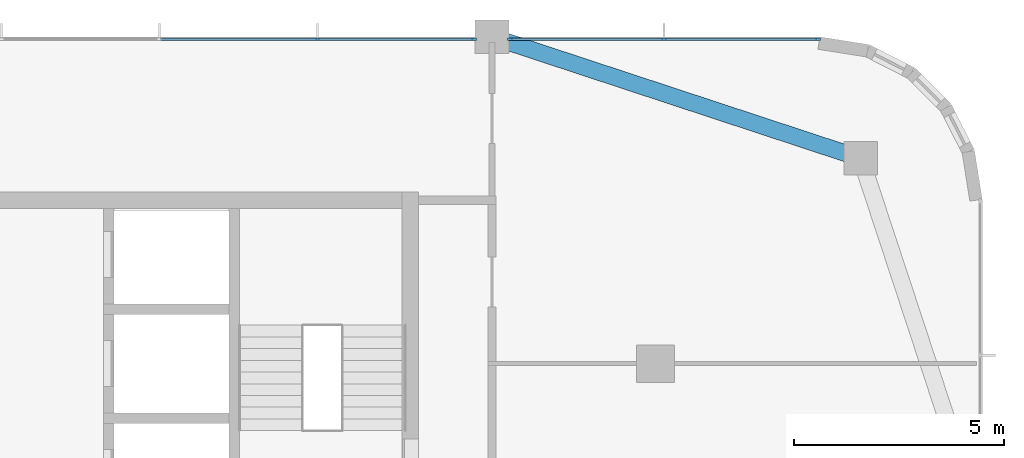
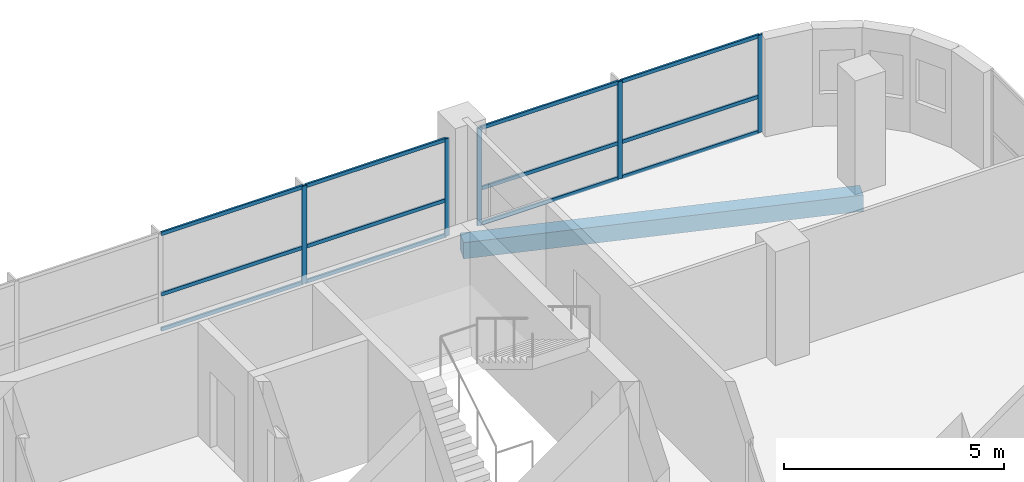
# One storey, part 10 of 22: 17 members, 1 beam, 2 elements without a shape of their own.
"""IFC4 building model written with IfcOpenShell, lengths in metres."""

from ifc_helpers import new_model, si_unit, direction, frame, origin, origin_2d, place, context, subcontext, project, spatial, rectangle, extrude, material, material_profile, profile_set, type_object, element, aggregate, save


model = new_model("IFC4")

# Units and contexts
model_context = context("Model", 3, precision=1e-05, world=origin(), true_north=direction((0.0, 1.0)))
body_context = subcontext(model_context, "Body", "Model", "MODEL_VIEW")
ifc_project = project(units=[si_unit("LENGTHUNIT", "METRE"), si_unit("AREAUNIT", "SQUARE_METRE"), si_unit("VOLUMEUNIT", "CUBIC_METRE"), si_unit("PLANEANGLEUNIT", "RADIAN"), si_unit("MASSUNIT", "GRAM", prefix="KILO")], contexts=[model_context])

# Site, building, storey
site_placement = place(None, origin())
site = spatial("IfcSite", under=ifc_project, at=site_placement, CompositionType="ELEMENT")
building_placement = place(site_placement, origin())
building = spatial("IfcBuilding", under=site, at=building_placement, Name="Ludao Terraces", CompositionType="ELEMENT")
storey_placement = place(building_placement, frame((0.0, 0.0, 200.699951171875)))
storey = spatial("IfcBuildingStorey", under=building, at=storey_placement, Name="L54", CompositionType="ELEMENT", Elevation=200.699951171875)

# Curtain wall, members
ifc_material_1 = material(Name="Aluminium curtain wall with fritted glass", Category="aluminium")
curtain_wall_type = type_object("IfcCurtainWallType", Name="ENV CW3 community glazing", PredefinedType="NOTDEFINED", material=ifc_material_1)
curtain_wall_1_placement = place(storey_placement, origin())
curtain_wall_1 = element("IfcCurtainWall", 1, at=curtain_wall_1_placement, inside=storey, type_object=curtain_wall_type, Name="Community floor glazing L54 N2", PredefinedType="NOTDEFINED")
ifc_material_2 = material(Name="Aluminium 6063-T6", Category="aluminium")
ifc_material_profile_1 = material_profile(ifc_material_2, rectangle(XDim=0.050048828125, YDim=0.1201171875, at=origin_2d()), Name="50 X 120")
ifc_profile_set_1 = profile_set([ifc_material_profile_1], Name="Aluminium 6063-T6")
member_type_1 = type_object("IfcMemberType", Name="ENV CW3 mullion 50x120", PredefinedType="MULLION", material=ifc_profile_set_1)
member_1_placement = place(storey_placement, frame((92.533447265625, 88.340087890625, 0.0), z_axis=(0.0, 0.0, 1.0), x_axis=(0.0, 1.0, 0.0)))
member_1 = element("IfcMember", 2, at=member_1_placement, type_object=member_type_1, Name="CW3 mullion 6", PredefinedType="MULLION", context=body_context, shape_type="SweptSolid", body=[
    extrude(rectangle(XDim=0.050048828125, YDim=0.1201171875, at=origin_2d()), origin(), (0.0, 0.0, 1.0), 2.699951171875),
])
member_2_placement = place(storey_placement, frame((96.27490234375, 88.340087890625, 0.0), z_axis=(0.0, 0.0, 1.0), x_axis=(0.0, 1.0, 0.0)))
member_2 = element("IfcMember", 3, at=member_2_placement, type_object=member_type_1, Name="CW3 mullion 7", PredefinedType="MULLION", context=body_context, shape_type="SweptSolid", body=[
    extrude(rectangle(XDim=0.050048828125, YDim=0.1201171875, at=origin_2d()), origin(), (0.0, 0.0, 1.0), 2.699951171875),
])

curtain_wall_2_placement = place(storey_placement, origin())
curtain_wall_2 = element("IfcCurtainWall", 4, at=curtain_wall_2_placement, inside=storey, type_object=curtain_wall_type, Name="Community floor glazing L54 N3", PredefinedType="NOTDEFINED")
member_3_placement = place(storey_placement, frame((97.125, 88.340087890625, 0.0), z_axis=(0.0, 0.0, 1.0), x_axis=(0.0, 1.0, 0.0)))
member_3 = element("IfcMember", 5, at=member_3_placement, type_object=member_type_1, Name="CW3 mullion 1", PredefinedType="MULLION", context=body_context, shape_type="SweptSolid", body=[
    extrude(rectangle(XDim=0.050048828125, YDim=0.1201171875, at=origin_2d()), origin(), (0.0, 0.0, 1.0), 2.699951171875),
])
member_4_placement = place(storey_placement, frame((100.800048828125, 88.340087890625, 0.0), z_axis=(0.0, 0.0, 1.0), x_axis=(0.0, 1.0, 0.0)))
member_4 = element("IfcMember", 6, at=member_4_placement, type_object=member_type_1, Name="CW3 mullion 2", PredefinedType="MULLION", context=body_context, shape_type="SweptSolid", body=[
    extrude(rectangle(XDim=0.050048828125, YDim=0.1201171875, at=origin_2d()), origin(), (0.0, 0.0, 1.0), 2.699951171875),
])
member_5_placement = place(storey_placement, frame((104.47509765625, 88.340087890625, 0.0), z_axis=(0.0, 0.0, 1.0), x_axis=(0.0, 1.0, 0.0)))
member_5 = element("IfcMember", 7, at=member_5_placement, type_object=member_type_1, Name="CW3 mullion 3", PredefinedType="MULLION", context=body_context, shape_type="SweptSolid", body=[
    extrude(rectangle(XDim=0.050048828125, YDim=0.1201171875, at=origin_2d()), origin(), (0.0, 0.0, 1.0), 2.699951171875),
])

# Member
ifc_material_profile_2 = material_profile(ifc_material_2, rectangle(XDim=0.050048828125, YDim=0.10009765625, at=origin_2d()), Name="50 X 100")
ifc_profile_set_2 = profile_set([ifc_material_profile_2], Name="Aluminium 6063-T6")
member_type_2 = type_object("IfcMemberType", Name="ENV CW3 transom 50x100", PredefinedType="USERDEFINED", material=ifc_profile_set_2)
member_6_placement = place(storey_placement, frame((88.791748046875, 88.340087890625, 0.025146484375), z_axis=(1.0, 0.0, 0.0), x_axis=(0.0, 1.0, 0.0)))
member_6 = element("IfcMember", 8, at=member_6_placement, type_object=member_type_2, Name="CW3 transom 5.1", ObjectType="TRANSOM", PredefinedType="USERDEFINED", context=body_context, shape_type="SweptSolid", body=[
    extrude(rectangle(XDim=0.050048828125, YDim=0.10009765625, at=origin_2d()), origin(), (0.0, 0.0, 1.0), 3.716552734375),
])

member_7_placement = place(storey_placement, frame((88.791748046875, 88.340087890625, 1.0), z_axis=(1.0, 0.0, 0.0), x_axis=(0.0, 1.0, 0.0)))
member_7 = element("IfcMember", 9, at=member_7_placement, type_object=member_type_2, Name="CW3 transom 5.2", ObjectType="TRANSOM", PredefinedType="USERDEFINED", context=body_context, shape_type="SweptSolid", body=[
    extrude(rectangle(XDim=0.050048828125, YDim=0.10009765625, at=origin_2d()), origin(), (0.0, 0.0, 1.0), 3.716552734375),
])

member_8_placement = place(storey_placement, frame((88.791748046875, 88.340087890625, 2.675048828125), z_axis=(1.0, 0.0, 0.0), x_axis=(0.0, 1.0, 0.0)))
member_8 = element("IfcMember", 10, at=member_8_placement, type_object=member_type_2, Name="CW3 transom 5.3", ObjectType="TRANSOM", PredefinedType="USERDEFINED", context=body_context, shape_type="SweptSolid", body=[
    extrude(rectangle(XDim=0.050048828125, YDim=0.10009765625, at=origin_2d()), origin(), (0.0, 0.0, 1.0), 3.716552734375),
])

member_9_placement = place(storey_placement, frame((92.558349609375, 88.340087890625, 0.025146484375), z_axis=(1.0, 0.0, 0.0), x_axis=(0.0, 1.0, 0.0)))
member_9 = element("IfcMember", 11, at=member_9_placement, type_object=member_type_2, Name="CW3 transom 6.1", ObjectType="TRANSOM", PredefinedType="USERDEFINED", context=body_context, shape_type="SweptSolid", body=[
    extrude(rectangle(XDim=0.050048828125, YDim=0.10009765625, at=origin_2d()), origin(), (0.0, 0.0, 1.0), 3.691650390625),
])

member_10_placement = place(storey_placement, frame((92.558349609375, 88.340087890625, 1.0), z_axis=(1.0, 0.0, 0.0), x_axis=(0.0, 1.0, 0.0)))
member_10 = element("IfcMember", 12, at=member_10_placement, type_object=member_type_2, Name="CW3 transom 6.2", ObjectType="TRANSOM", PredefinedType="USERDEFINED", context=body_context, shape_type="SweptSolid", body=[
    extrude(rectangle(XDim=0.050048828125, YDim=0.10009765625, at=origin_2d()), origin(), (0.0, 0.0, 1.0), 3.691650390625),
])

member_11_placement = place(storey_placement, frame((92.558349609375, 88.340087890625, 2.675048828125), z_axis=(1.0, 0.0, 0.0), x_axis=(0.0, 1.0, 0.0)))
member_11 = element("IfcMember", 13, at=member_11_placement, type_object=member_type_2, Name="CW3 transom 6.3", ObjectType="TRANSOM", PredefinedType="USERDEFINED", context=body_context, shape_type="SweptSolid", body=[
    extrude(rectangle(XDim=0.050048828125, YDim=0.10009765625, at=origin_2d()), origin(), (0.0, 0.0, 1.0), 3.691650390625),
])

aggregate(curtain_wall_1, [member_1, member_2, member_6, member_7, member_8, member_9, member_10, member_11])

member_12_placement = place(storey_placement, frame((97.14990234375, 88.340087890625, 0.025146484375), z_axis=(1.0, 0.0, 0.0), x_axis=(0.0, 1.0, 0.0)))
member_12 = element("IfcMember", 14, at=member_12_placement, type_object=member_type_2, Name="CW3 transom 1.1", ObjectType="TRANSOM", PredefinedType="USERDEFINED", context=body_context, shape_type="SweptSolid", body=[
    extrude(rectangle(XDim=0.050048828125, YDim=0.10009765625, at=origin_2d()), origin(), (0.0, 0.0, 1.0), 3.625),
])

member_13_placement = place(storey_placement, frame((97.14990234375, 88.340087890625, 1.0), z_axis=(1.0, 0.0, 0.0), x_axis=(0.0, 1.0, 0.0)))
member_13 = element("IfcMember", 15, at=member_13_placement, type_object=member_type_2, Name="CW3 transom 1.2", ObjectType="TRANSOM", PredefinedType="USERDEFINED", context=body_context, shape_type="SweptSolid", body=[
    extrude(rectangle(XDim=0.050048828125, YDim=0.10009765625, at=origin_2d()), origin(), (0.0, 0.0, 1.0), 3.625),
])

member_14_placement = place(storey_placement, frame((97.14990234375, 88.340087890625, 2.675048828125), z_axis=(1.0, 0.0, 0.0), x_axis=(0.0, 1.0, 0.0)))
member_14 = element("IfcMember", 16, at=member_14_placement, type_object=member_type_2, Name="CW3 transom 1.3", ObjectType="TRANSOM", PredefinedType="USERDEFINED", context=body_context, shape_type="SweptSolid", body=[
    extrude(rectangle(XDim=0.050048828125, YDim=0.10009765625, at=origin_2d()), origin(), (0.0, 0.0, 1.0), 3.625),
])

member_15_placement = place(storey_placement, frame((100.824951171875, 88.340087890625, 0.025146484375), z_axis=(1.0, 0.0, 0.0), x_axis=(0.0, 1.0, 0.0)))
member_15 = element("IfcMember", 17, at=member_15_placement, type_object=member_type_2, Name="CW3 transom 2.1", ObjectType="TRANSOM", PredefinedType="USERDEFINED", context=body_context, shape_type="SweptSolid", body=[
    extrude(rectangle(XDim=0.050048828125, YDim=0.10009765625, at=origin_2d()), origin(), (0.0, 0.0, 1.0), 3.625),
])

member_16_placement = place(storey_placement, frame((100.824951171875, 88.340087890625, 1.0), z_axis=(1.0, 0.0, 0.0), x_axis=(0.0, 1.0, 0.0)))
member_16 = element("IfcMember", 18, at=member_16_placement, type_object=member_type_2, Name="CW3 transom 2.2", ObjectType="TRANSOM", PredefinedType="USERDEFINED", context=body_context, shape_type="SweptSolid", body=[
    extrude(rectangle(XDim=0.050048828125, YDim=0.10009765625, at=origin_2d()), origin(), (0.0, 0.0, 1.0), 3.625),
])

member_17_placement = place(storey_placement, frame((100.824951171875, 88.340087890625, 2.675048828125), z_axis=(1.0, 0.0, 0.0), x_axis=(0.0, 1.0, 0.0)))
member_17 = element("IfcMember", 19, at=member_17_placement, type_object=member_type_2, Name="CW3 transom 2.3", ObjectType="TRANSOM", PredefinedType="USERDEFINED", context=body_context, shape_type="SweptSolid", body=[
    extrude(rectangle(XDim=0.050048828125, YDim=0.10009765625, at=origin_2d()), origin(), (0.0, 0.0, 1.0), 3.625),
])

aggregate(curtain_wall_2, [member_3, member_4, member_5, member_12, member_13, member_14, member_15, member_16, member_17])

# Beam
ifc_material_3 = material(Name="Concrete C40", Category="concrete")
ifc_material_profile_3 = material_profile(ifc_material_3, rectangle(XDim=0.39990234375, YDim=0.449951171875, at=origin_2d()), Name="400 X 450")
ifc_profile_set_3 = profile_set([ifc_material_profile_3], Name="Concrete C40")
beam_type = type_object("IfcBeamType", Name="RC beam 400x450 C40", PredefinedType="BEAM", material=ifc_profile_set_3)
beam_placement = place(storey_placement, frame((96.699951171875, 88.39990234375, -0.474853515625), z_axis=(0.949760691408, -0.312977042379, 0.0), x_axis=(0.312977042379, 0.949760691408, 0.0)))
element("IfcBeam", 20, at=beam_placement, inside=storey, type_object=beam_type, Name="Spandrel beam L54 N7", PredefinedType="BEAM", context=body_context, shape_type="SweptSolid", body=[
    extrude(rectangle(XDim=0.39990234375, YDim=0.449951171875, at=origin_2d()), origin(), (0.0, 0.0, 1.0), 9.265625),
])

save(model, "model.ifc")
